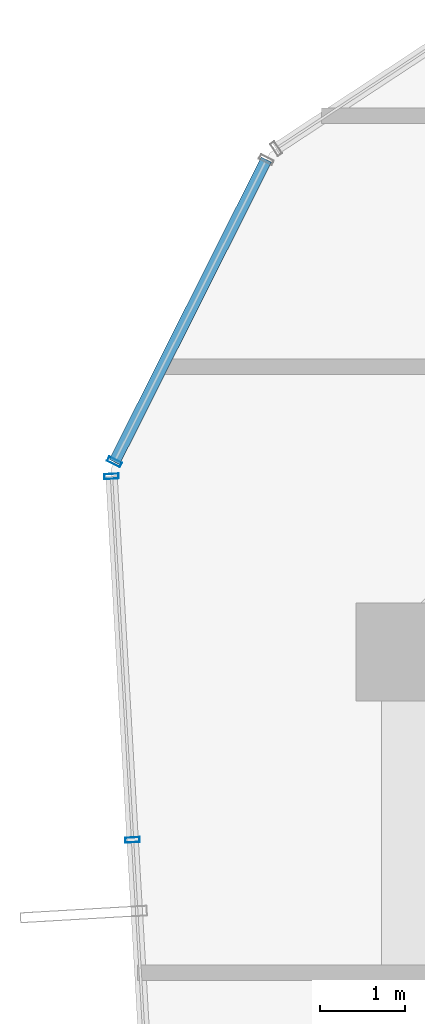
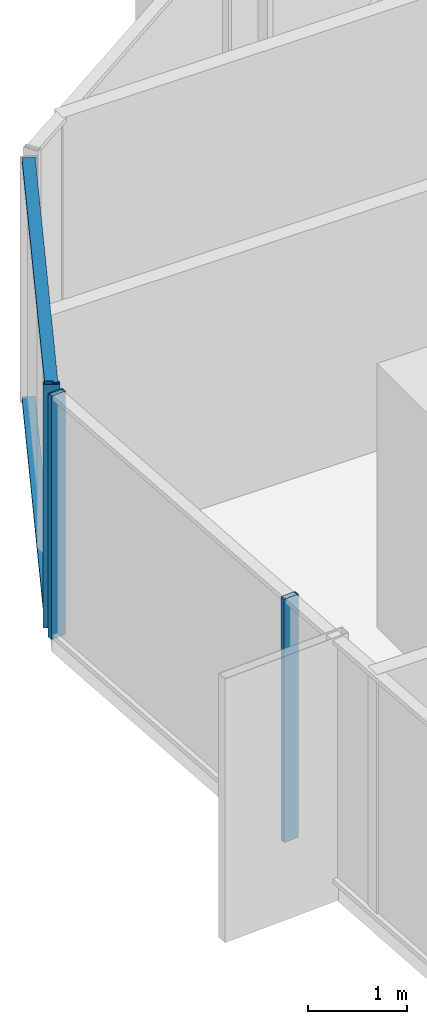
# One storey, part 12 of 33: 5 members, 2 elements without a shape of their own.
"""IFC4 building model written with IfcOpenShell, lengths in metres."""

from ifc_helpers import new_model, si_unit, direction, frame, origin, origin_2d, place, context, subcontext, project, spatial, hollow_rectangle, extrude, source, transform, mapped, material, layer, layer_set, material_profile, profile_set, type_object, element, aggregate, save


model = new_model("IFC4")

# Units and contexts
model_context = context("Model", 3, precision=1e-05, world=origin(), true_north=direction((0.0, 1.0)))
body_context = subcontext(model_context, "Body", "Model", "MODEL_VIEW")
ifc_project = project(units=[si_unit("LENGTHUNIT", "METRE"), si_unit("AREAUNIT", "SQUARE_METRE"), si_unit("VOLUMEUNIT", "CUBIC_METRE"), si_unit("PLANEANGLEUNIT", "RADIAN"), si_unit("MASSUNIT", "GRAM", prefix="KILO")], contexts=[model_context])

# Site, building, storey
site_placement = place(None, origin())
site = spatial("IfcSite", under=ifc_project, at=site_placement, CompositionType="ELEMENT")
building_placement = place(site_placement, origin())
building = spatial("IfcBuilding", under=site, at=building_placement, Name="Veraguas Prism Commons", CompositionType="ELEMENT")
storey_placement = place(building_placement, frame((0.0, 0.0, 139.25)))
storey = spatial("IfcBuildingStorey", under=building, at=storey_placement, Name="L39", CompositionType="ELEMENT", Elevation=139.25)

# Curtain wall, members
ifc_material = material(Name="Anodised aluminium EN AW-6063 T6", Category="aluminium")
ifc_layer = layer(ifc_material, 0.169921875, Name="Unitised Flush Curtain Wall Zone 2", Category="aluminium")
ifc_layer_set = layer_set([ifc_layer], Name="Anodised aluminium EN AW-6063 T6")
curtain_wall_type = type_object("IfcCurtainWallType", Name="Unitised Flush Curtain Wall Zone 2", PredefinedType="NOTDEFINED", material=ifc_layer_set)
curtain_wall_1_placement = place(storey_placement, origin())
curtain_wall_1 = element("IfcCurtainWall", 1, at=curtain_wall_1_placement, inside=storey, type_object=curtain_wall_type, Name="Tower Facade Curtain Wall L39-F3", PredefinedType="NOTDEFINED")
ifc_material_profile_1 = material_profile(ifc_material, hollow_rectangle(XDim=0.06005859375, YDim=0.169921875, WallThickness=0.00390625, at=origin_2d()), Name="AL60X170X4")
ifc_profile_set_1 = profile_set([ifc_material_profile_1], Name="Anodised aluminium EN AW-6063 T6")
member_type_1 = type_object("IfcMemberType", Name="Curtain Wall Mullion Lower AL 60x170x4", PredefinedType="MULLION", material=ifc_profile_set_1)
shared_shape_1 = source(origin(), body_context, "Body", "SweptSolid", [
    extrude(hollow_rectangle(XDim=0.06005859375, YDim=0.169921875, WallThickness=0.00390625, at=origin_2d()), origin(), (0.0, 0.0, 1.0), 3.0),
])
member_1_placement = place(storey_placement, frame((4.3525390625, 31.4619140625, 0.0), z_axis=(0.0, 0.0, 1.0), x_axis=(0.05790728328, -0.998321965371, 0.0)))
member_1 = element("IfcMember", 2, at=member_1_placement, type_object=member_type_1, Name="CW-Z2 Mullion 1", PredefinedType="MULLION", context=body_context, shape_type="MappedRepresentation", body=[
    mapped(shared_shape_1, transform((0.0, 0.0, 0.0), scale=1.0)),
])
member_2_placement = place(storey_placement, frame((4.60009765625, 27.1904296875, 0.0), z_axis=(0.0, 0.0, 1.0), x_axis=(0.05790728328, -0.998321965371, 0.0)))
member_2 = element("IfcMember", 3, at=member_2_placement, type_object=member_type_1, Name="CW-Z2 Mullion 2", PredefinedType="MULLION", context=body_context, shape_type="MappedRepresentation", body=[
    mapped(shared_shape_1, transform((0.0, 0.0, 0.0), scale=1.0)),
])
aggregate(curtain_wall_1, [member_1, member_2])

curtain_wall_2_placement = place(storey_placement, origin())
curtain_wall_2 = element("IfcCurtainWall", 4, at=curtain_wall_2_placement, inside=storey, type_object=curtain_wall_type, Name="Chamfer Curtain Wall L39-C3", PredefinedType="NOTDEFINED")
member_3_placement = place(storey_placement, frame((4.387451171875, 31.632080078125, 0.0), z_axis=(0.0, 0.0, 1.0), x_axis=(-0.449018042277, -0.893522690092, 0.0)))
member_3 = element("IfcMember", 5, at=member_3_placement, type_object=member_type_1, Name="CW-Z2 Mullion 2", PredefinedType="MULLION", context=body_context, shape_type="MappedRepresentation", body=[
    mapped(shared_shape_1, transform((0.0, 0.0, 0.0), scale=1.0)),
])
ifc_material_profile_2 = material_profile(ifc_material, hollow_rectangle(XDim=0.054931640625, YDim=0.135009765625, WallThickness=0.0029296875, at=origin_2d()), Name="AL55X135X3")
ifc_profile_set_2 = profile_set([ifc_material_profile_2], Name="Anodised aluminium EN AW-6063 T6")
member_type_2 = type_object("IfcMemberType", Name="Curtain Wall Transom Standard AL 55x135x3", PredefinedType="USERDEFINED", material=ifc_profile_set_2)
shared_shape_2 = source(origin(), body_context, "Body", "SweptSolid", [
    extrude(hollow_rectangle(XDim=0.054931640625, YDim=0.135009765625, WallThickness=0.0029296875, at=origin_2d()), origin(), (0.0, 0.0, 1.0), 3.973388671875),
])
member_4_placement = place(storey_placement, frame((6.171630859375, 35.182373046875, 0.027587890625), z_axis=(-0.449031407896, -0.893515973401, 0.0), x_axis=(0.0, 0.0, 1.0)))
member_4 = element("IfcMember", 6, at=member_4_placement, type_object=member_type_2, Name="CW-Z2 Transom 1", ObjectType="TRANSOM", PredefinedType="USERDEFINED", context=body_context, shape_type="MappedRepresentation", body=[
    mapped(shared_shape_2, transform((0.0, 0.0, 0.0), scale=1.0)),
])
member_5_placement = place(storey_placement, frame((6.171630859375, 35.182373046875, 2.972412109375), z_axis=(-0.449031407896, -0.893515973401, 0.0), x_axis=(0.0, 0.0, 1.0)))
member_5 = element("IfcMember", 7, at=member_5_placement, type_object=member_type_2, Name="CW-Z2 Transom 2", ObjectType="TRANSOM", PredefinedType="USERDEFINED", context=body_context, shape_type="MappedRepresentation", body=[
    mapped(shared_shape_2, transform((0.0, 0.0, 0.0), scale=1.0)),
])
aggregate(curtain_wall_2, [member_3, member_4, member_5])

save(model, "model.ifc")
